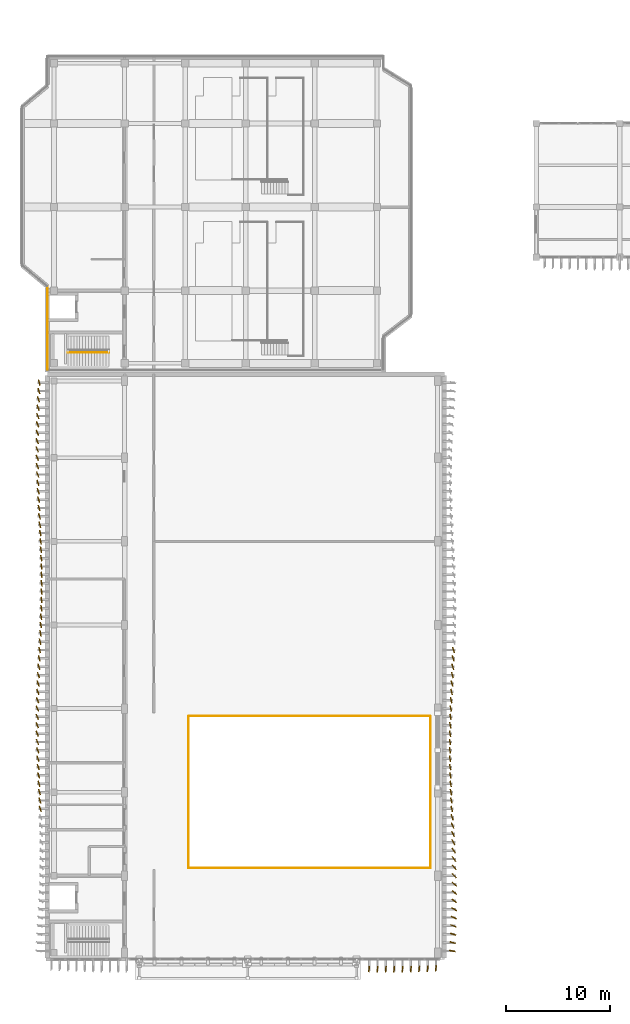
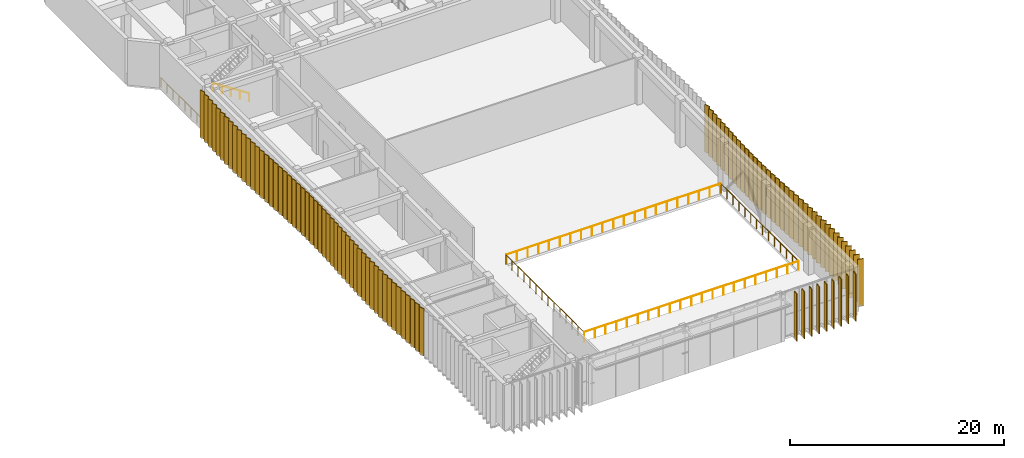
# One storey, part 53 of 64: 98 coverings, 6 railings.
"""IFC4 building model written with IfcOpenShell, lengths in metres."""

import ifcopenshell
import ifcopenshell.guid

model = None  # the IFC model being written
_history = None  # IfcOwnerHistory: only IFC2X3 demands one
_inside = {}  # id of a spatial element -> (the spatial element, [elements in it])
_under = {}  # id of a project, library or spatial element -> (it, [spatial elements below it])
_declared = {}  # id of a project -> (the project, [libraries it declares])
_typed = {}  # id of a type object -> (the type object, [elements of that type])
_made_of = {}  # id of a material, layer set ... -> (it, [elements and type objects made of it])


def new_model(schema):
    """Start an empty IFC model of exactly this schema.

    Asked for "IFC4X3", IfcOpenShell would pick the latest addendum, in which some entities
    have other attributes; the version numbers below select the first issue.
    IFC2X3 requires an IfcOwnerHistory on every rooted entity: one is made here for all.
    """
    global model, _history
    if schema == "IFC4X3":
        model = ifcopenshell.file(schema_version=(4, 3, 0, 0))
    else:
        model = ifcopenshell.file(schema=schema)
    _inside.clear()
    _under.clear()
    _declared.clear()
    _typed.clear()
    _made_of.clear()
    _history = None
    if model.schema == "IFC2X3":
        org = make("IfcOrganization", Name="unknown")
        user = make(
            "IfcPersonAndOrganization",
            ThePerson=make("IfcPerson", FamilyName="unknown"),
            TheOrganization=org,
        )
        app = make(
            "IfcApplication",
            ApplicationDeveloper=org,
            Version="unknown",
            ApplicationFullName="unknown",
            ApplicationIdentifier="unknown",
        )
        _history = make(
            "IfcOwnerHistory",
            OwningUser=user,
            OwningApplication=app,
            ChangeAction="ADDED",
            CreationDate=0,
        )
    return model


def make(cls, **values):
    """One entity of the class cls with the attributes given. An attribute that is None is left unset."""
    return model.create_entity(
        cls, **{name: value for name, value in values.items() if value is not None}
    )


def rooted(cls, **values):
    """An entity with a GlobalId (a new one), such as an element, a storey or a relation."""
    return make(cls, GlobalId=ifcopenshell.guid.new(), OwnerHistory=_history, **values)


def si_unit(unit_type, name, prefix=None):
    """IfcSIUnit, for example si_unit("LENGTHUNIT", "METRE", prefix="MILLI")."""
    return make("IfcSIUnit", UnitType=unit_type, Prefix=prefix, Name=name)


def assignment(units):
    """IfcUnitAssignment: the units of a project."""
    return None if units is None else make("IfcUnitAssignment", Units=units)


def point(xyz):
    """IfcCartesianPoint."""
    return None if xyz is None else make("IfcCartesianPoint", Coordinates=xyz)


def direction(xyz):
    """IfcDirection."""
    return None if xyz is None else make("IfcDirection", DirectionRatios=xyz)


def frame(location, z_axis=None, x_axis=None):
    """IfcAxis2Placement3D, a coordinate frame: its origin and axes. An axis left out is left unset."""
    return make(
        "IfcAxis2Placement3D",
        Location=point(location),
        Axis=direction(z_axis),
        RefDirection=direction(x_axis),
    )


def frame_2d(location, x_axis=None):
    """IfcAxis2Placement2D, a coordinate frame in the plane: its origin and x axis."""
    return make(
        "IfcAxis2Placement2D", Location=point(location), RefDirection=direction(x_axis)
    )


def origin():
    """The frame at (0, 0, 0) with its axes left unset."""
    return frame((0.0, 0.0, 0.0))


def origin_2d():
    """The frame at (0, 0) in the plane with its x axis left unset."""
    return frame_2d((0.0, 0.0))


def place(relative_to, where):
    """IfcLocalPlacement: puts the frame where relative to a parent placement (None: the world)."""
    return make(
        "IfcLocalPlacement", PlacementRelTo=relative_to, RelativePlacement=where
    )


def context(
    kind, dimensions, precision=None, world=None, true_north=None, identifier=None
):
    """IfcGeometricRepresentationContext, for example the 3D "Model" context."""
    return make(
        "IfcGeometricRepresentationContext",
        ContextIdentifier=identifier,
        ContextType=kind,
        CoordinateSpaceDimension=dimensions,
        Precision=precision,
        WorldCoordinateSystem=world,
        TrueNorth=true_north,
    )


def subcontext(parent, identifier, kind, view, scale=None):
    """IfcGeometricRepresentationSubContext, for example "Body" below "Model"."""
    return make(
        "IfcGeometricRepresentationSubContext",
        ContextIdentifier=identifier,
        ContextType=kind,
        ParentContext=parent,
        TargetScale=scale,
        TargetView=view,
    )


def project(units=None, contexts=None):
    """IfcProject with its units and contexts."""
    return rooted(
        "IfcProject",
        Name="project",
        RepresentationContexts=contexts,
        UnitsInContext=assignment(units),
    )


def spatial(cls, under=None, at=None, **own):
    """A site, building, storey or space (cls), placed at a placement, below another one or the project."""
    s = rooted(cls, ObjectPlacement=at, **own)
    if under is not None:
        _under.setdefault(under.id(), (under, []))[1].append(s)
    return s


def profile(cls, at=None, kind="AREA", **sizes):
    """A parametric profile (cls). Its sizes go by their IFC names, for example OverallWidth=200.0."""
    return make(cls, ProfileType=kind, Position=at, **sizes)


def rectangle(**sizes):
    """IfcRectangleProfileDef."""
    return profile("IfcRectangleProfileDef", **sizes)


def circle(**sizes):
    """IfcCircleProfileDef."""
    return profile("IfcCircleProfileDef", **sizes)


def extrude(swept, where, along, depth):
    """IfcExtrudedAreaSolid: the profile swept, set in the frame where, extruded along a direction by depth."""
    return make(
        "IfcExtrudedAreaSolid",
        SweptArea=swept,
        Position=where,
        ExtrudedDirection=direction(along),
        Depth=depth,
    )


def shape(context_of_items, identifier, shape_type, items):
    """IfcShapeRepresentation: the items that make up one representation, for example the "Body"."""
    return make(
        "IfcShapeRepresentation",
        ContextOfItems=context_of_items,
        RepresentationIdentifier=identifier,
        RepresentationType=shape_type,
        Items=items,
    )


def material(Name=None, Category=None):
    """IfcMaterial."""
    return make("IfcMaterial", Name=Name, Category=Category)


def layer(
    of_material, thickness, ventilated=None, Name=None, Category=None, Priority=None
):
    """IfcMaterialLayer: one layer of a wall or slab, of a material (None: an air gap)."""
    return make(
        "IfcMaterialLayer",
        Material=of_material,
        LayerThickness=thickness,
        IsVentilated=ventilated,
        Name=Name,
        Category=Category,
        Priority=Priority,
    )


def layer_set(layers, Name=None):
    """IfcMaterialLayerSet."""
    return make("IfcMaterialLayerSet", MaterialLayers=layers, LayerSetName=Name)


def made_of(thing, what):
    """Note that an element or type object is made of a material, layer set ...; save() writes the relation."""
    if what is not None:
        _made_of.setdefault(what.id(), (what, []))[1].append(thing)
    return thing


def type_object(cls, material=None, **own):
    """A type object (cls), such as IfcWallType, which elements share."""
    return made_of(rooted(cls, **own), material)


def element(
    cls,
    number,
    at=None,
    inside=None,
    cuts=None,
    type_object=None,
    material=None,
    context=None,
    identifier="Body",
    shape_type=None,
    held_by="IfcProductDefinitionShape",
    body=None,
    shapes=None,
    **own,
):
    """One element of the class cls, such as IfcWall. Its Tag is "e" and its number.

    at: its placement. inside: the storey or other place that contains it. cuts: it is an
    opening in that element (IfcRelVoidsElement). A single representation is given by context,
    identifier, shape_type and body (its items); several are given by shapes. held_by: the class
    of the entity that holds the representations. save() writes the other relations.
    """
    e = rooted(cls, Tag="e%d" % number, ObjectPlacement=at, **own)
    if body is not None:
        shapes = [shape(context, identifier, shape_type, body)]
    if shapes is not None:
        e.Representation = make(held_by, Representations=shapes)
    if inside is not None:
        _inside.setdefault(inside.id(), (inside, []))[1].append(e)
    if cuts is not None:
        rooted(
            "IfcRelVoidsElement", RelatingBuildingElement=cuts, RelatedOpeningElement=e
        )
    if type_object is not None:
        _typed.setdefault(type_object.id(), (type_object, []))[1].append(e)
    return made_of(e, material)


def aggregate(whole, parts):
    """IfcRelAggregates: a whole, such as a stair, and the parts it consists of."""
    return rooted("IfcRelAggregates", RelatingObject=whole, RelatedObjects=parts)


def save(model, path):
    """Write the relations noted so far, then the file.

    IfcRelAggregates (storeys below a building ...), IfcRelContainedInSpatialStructure (elements
    in a storey), IfcRelDefinesByType, IfcRelAssociatesMaterial and IfcRelDeclares: one each for
    every whole, place, type object, material and project.
    """
    for whole, parts in _under.values():
        aggregate(whole, parts)
    for where, things in _inside.values():
        rooted(
            "IfcRelContainedInSpatialStructure",
            RelatedElements=things,
            RelatingStructure=where,
        )
    for kind, things in _typed.values():
        rooted("IfcRelDefinesByType", RelatedObjects=things, RelatingType=kind)
    for what, things in _made_of.values():
        rooted("IfcRelAssociatesMaterial", RelatedObjects=things, RelatingMaterial=what)
    for by, libraries in _declared.values():
        rooted("IfcRelDeclares", RelatingContext=by, RelatedDefinitions=libraries)
    model.write(path)


model = new_model("IFC4")

# Units and contexts
model_context = context("Model", 3, precision=1e-05, world=origin(), true_north=direction((0.0, 1.0)))
body_context = subcontext(model_context, "Body", "Model", "MODEL_VIEW")
ifc_project = project(units=[si_unit("LENGTHUNIT", "METRE"), si_unit("AREAUNIT", "SQUARE_METRE"), si_unit("VOLUMEUNIT", "CUBIC_METRE"), si_unit("PLANEANGLEUNIT", "RADIAN"), si_unit("MASSUNIT", "GRAM", prefix="KILO")], contexts=[model_context])

# Site, building, storey
site_placement = place(None, origin())
site = spatial("IfcSite", under=ifc_project, at=site_placement, CompositionType="ELEMENT")
building_placement = place(site_placement, origin())
building = spatial("IfcBuilding", under=site, at=building_placement, Name="Cinchona Park Media Centre", CompositionType="ELEMENT")
storey_placement = place(building_placement, frame((0.0, 0.0, 10.199951171875)))
storey = spatial("IfcBuildingStorey", under=building, at=storey_placement, Name="L02", CompositionType="ELEMENT", Elevation=10.199951171875)

# Coverings
ifc_material_1 = material(Name="Anodised Storm-Resistant Aluminium Fin", Category="aluminium")
ifc_layer = layer(ifc_material_1, 0.090087890625)
ifc_layer_set = layer_set([ifc_layer], Name="Anodised Storm-Resistant Aluminium Fin")
covering_type = type_object("IfcCoveringType", Name="CLADDING-FIN01", PredefinedType="CLADDING", material=ifc_layer_set)
for number, where, z_axis, x_axis, name in (
    (1, (7.22998046875, 62.800048828125, 0.0), (0.0, 0.0, 1.0), (0.270096344686, -0.962833300518, 0.0), "Twisting Vertical Facade Fin L02"),
    (2, (7.19091796875, 62.0, 0.0), (0.0, 0.0, 1.0), (0.291870944669, -0.956457710334, 0.0), "Twisting Vertical Facade Fin L02"),
    (3, (7.154052734375, 61.199951171875, 0.0), (0.0, 0.0, 1.0), (0.312500715155, -0.949917524329, 0.0), "Twisting Vertical Facade Fin L02"),
    (4, (7.1201171875, 60.39990234375, 0.0), (0.0, 0.0, 1.0), (0.331008520407, -0.943627765286, 0.0), "Twisting Vertical Facade Fin L02"),
    (5, (7.091064453125, 59.60009765625, 0.0), (0.0, 0.0, 1.0), (0.346771953791, -0.937949472021, 0.0), "Twisting Vertical Facade Fin L02"),
    (6, (7.068115234375, 58.800048828125, 0.0), (0.0, 0.0, 1.0), (0.359345396006, -0.933204632634, 0.0), "Twisting Vertical Facade Fin L02"),
    (7, (7.052001953125, 58.0, 0.0), (0.0, 0.0, 1.0), (0.36844908347, -0.929647929536, 0.0), "Twisting Vertical Facade Fin L02"),
    (8, (7.0419921875, 57.199951171875, 0.0), (0.0, 0.0, 1.0), (0.373473545352, -0.927640830776, 0.0), "Twisting Vertical Facade Fin L02"),
    (9, (7.0400390625, 56.39990234375, 0.0), (0.0, 0.0, 1.0), (0.374444763601, -0.927249221629, 0.0), "Twisting Vertical Facade Fin L02"),
    (10, (7.0458984375, 55.60009765625, 0.0), (0.0, 0.0, 1.0), (0.37136783555, -0.928485826881, 0.0), "Twisting Vertical Facade Fin L02"),
    (11, (7.05908203125, 54.800048828125, 0.0), (0.0, 0.0, 1.0), (0.364389234658, -0.931246737264, 0.0), "Twisting Vertical Facade Fin L02"),
    (12, (7.0791015625, 54.0, 0.0), (0.0, 0.0, 1.0), (0.353474843779, -0.93544403083, 0.0), "Twisting Vertical Facade Fin L02"),
    (13, (7.10498046875, 53.199951171875, 0.0), (0.0, 0.0, 1.0), (0.339230517808, -0.940703277228, 0.0), "Twisting Vertical Facade Fin L02"),
    (14, (7.135986328125, 52.39990234375, 0.0), (0.0, 0.0, 1.0), (0.321935232675, -0.946761694389, 0.0), "Twisting Vertical Facade Fin L02"),
    (15, (7.172119140625, 51.60009765625, 0.0), (0.0, 0.0, 1.0), (0.30236989075, -0.953190667793, 0.0), "Twisting Vertical Facade Fin L02"),
    (16, (7.2099609375, 50.800048828125, 0.0), (0.0, 0.0, 1.0), (0.281001727065, -0.959707262339, 0.0), "Twisting Vertical Facade Fin L02"),
    (17, (7.25, 50.0, 0.0), (0.0, 0.0, 1.0), (0.258819045103, -0.965925826289, 0.0), "Twisting Vertical Facade Fin L02"),
    (18, (7.2900390625, 49.199951171875, 0.0), (0.0, 0.0, 1.0), (0.236498997024, -0.971631732915, 0.0), "Twisting Vertical Facade Fin L02"),
    (19, (7.327880859375, 48.39990234375, 0.0), (0.0, 0.0, 1.0), (0.214735327167, -0.976672278334, 0.0), "Twisting Vertical Facade Fin L02"),
    (20, (7.364013671875, 47.60009765625, 0.0), (0.0, 0.0, 1.0), (0.194576757325, -0.980887295008, 0.0), "Twisting Vertical Facade Fin L02"),
    (21, (7.39501953125, 46.800048828125, 0.0), (0.0, 0.0, 1.0), (0.176569392453, -0.984288194407, 0.0), "Twisting Vertical Facade Fin L02"),
    (22, (7.4208984375, 46.0, 0.0), (0.0, 0.0, 1.0), (0.161603821103, -0.986855716407, 0.0), "Twisting Vertical Facade Fin L02"),
    (23, (7.44091796875, 45.199951171875, 0.0), (0.0, 0.0, 1.0), (0.150053034553, -0.988677948991, 0.0), "Twisting Vertical Facade Fin L02"),
    (24, (7.4541015625, 44.39990234375, 0.0), (0.0, 0.0, 1.0), (0.142628933706, -0.989776230908, 0.0), "Twisting Vertical Facade Fin L02"),
    (25, (7.4599609375, 43.60009765625, 0.0), (0.0, 0.0, 1.0), (0.139345933222, -0.990243763371, 0.0), "Twisting Vertical Facade Fin L02"),
    (26, (7.4580078125, 42.800048828125, 0.0), (0.0, 0.0, 1.0), (0.140382837472, -0.990097297715, 0.0), "Twisting Vertical Facade Fin L02"),
    (27, (7.447998046875, 42.0, 0.0), (0.0, 0.0, 1.0), (0.145737698481, -0.989323265289, 0.0), "Twisting Vertical Facade Fin L02"),
    (28, (7.431884765625, 41.199951171875, 0.0), (0.0, 0.0, 1.0), (0.155400074643, -0.987851616793, 0.0), "Twisting Vertical Facade Fin L02"),
    (29, (7.408935546875, 40.39990234375, 0.0), (0.0, 0.0, 1.0), (0.168661414708, -0.985674047132, 0.0), "Twisting Vertical Facade Fin L02"),
    (30, (7.3798828125, 39.60009765625, 0.0), (0.0, 0.0, 1.0), (0.185152095101, -0.982709876657, 0.0), "Twisting Vertical Facade Fin L02"),
    (31, (7.345947265625, 38.800048828125, 0.0), (0.0, 0.0, 1.0), (0.204325204139, -0.978903065147, 0.0), "Twisting Vertical Facade Fin L02"),
    (32, (7.30908203125, 38.0, 0.0), (0.0, 0.0, 1.0), (0.225461202458, -0.974252147129, 0.0), "Twisting Vertical Facade Fin L02"),
    (33, (7.27001953125, 37.199951171875, 0.0), (0.0, 0.0, 1.0), (0.247506354292, -0.968886270202, 0.0), "Twisting Vertical Facade Fin L02"),
    (34, (7.22998046875, 36.39990234375, 0.0), (0.0, 0.0, 1.0), (0.270096344686, -0.962833300518, 0.0), "Twisting Vertical Facade Fin L02"),
    (35, (7.19091796875, 35.60009765625, 0.0), (0.0, 0.0, 1.0), (0.291870944669, -0.956457710334, 0.0), "Twisting Vertical Facade Fin L02"),
    (36, (7.154052734375, 34.800048828125, 0.0), (0.0, 0.0, 1.0), (0.312500715155, -0.949917524329, 0.0), "Twisting Vertical Facade Fin L02"),
    (37, (7.1201171875, 34.0, 0.0), (0.0, 0.0, 1.0), (0.331008520407, -0.943627765286, 0.0), "Twisting Vertical Facade Fin L02"),
    (38, (7.091064453125, 33.199951171875, 0.0), (0.0, 0.0, 1.0), (0.346771953791, -0.937949472021, 0.0), "Twisting Vertical Facade Fin L02"),
    (39, (7.068115234375, 32.39990234375, 0.0), (0.0, 0.0, 1.0), (0.359345396006, -0.933204632634, 0.0), "Twisting Vertical Facade Fin L02"),
    (40, (7.052001953125, 31.60009765625, 0.0), (0.0, 0.0, 1.0), (0.36844908347, -0.929647929536, 0.0), "Twisting Vertical Facade Fin L02"),
    (41, (7.0419921875, 30.800048828125, 0.0), (0.0, 0.0, 1.0), (0.373473545352, -0.927640830776, 0.0), "Twisting Vertical Facade Fin L02"),
    (42, (7.0400390625, 30.0, 0.0), (0.0, 0.0, 1.0), (0.374444763601, -0.927249221629, 0.0), "Twisting Vertical Facade Fin L02"),
    (43, (7.0458984375, 29.199951171875, 0.0), (0.0, 0.0, 1.0), (0.37136783555, -0.928485826881, 0.0), "Twisting Vertical Facade Fin L02"),
    (44, (7.05908203125, 28.39990234375, 0.0), (0.0, 0.0, 1.0), (0.364389234658, -0.931246737264, 0.0), "Twisting Vertical Facade Fin L02"),
    (45, (7.0791015625, 27.60009765625, 0.0), (0.0, 0.0, 1.0), (0.353474843779, -0.93544403083, 0.0), "Twisting Vertical Facade Fin L02"),
    (46, (7.10498046875, 26.800048828125, 0.0), (0.0, 0.0, 1.0), (0.339230517808, -0.940703277228, 0.0), "Twisting Vertical Facade Fin L02"),
    (47, (7.135986328125, 26.0, 0.0), (0.0, 0.0, 1.0), (0.321935232675, -0.946761694389, 0.0), "Twisting Vertical Facade Fin L02"),
    (48, (7.172119140625, 25.199951171875, 0.0), (0.0, 0.0, 1.0), (0.30236989075, -0.953190667793, 0.0), "Twisting Vertical Facade Fin L02"),
    (49, (7.2099609375, 24.39990234375, 0.0), (0.0, 0.0, 1.0), (0.281001727065, -0.959707262339, 0.0), "Twisting Vertical Facade Fin L02"),
    (50, (7.25, 23.60009765625, 0.0), (0.0, 0.0, 1.0), (0.258819045103, -0.965925826289, 0.0), "Twisting Vertical Facade Fin L02"),
    (51, (7.2900390625, 22.800048828125, 0.0), (0.0, 0.0, 1.0), (0.277985336053, -0.960585317887, 0.0), "Twisting Vertical Facade Fin L02"),
    (52, (7.327880859375, 22.0, 0.0), (0.0, 0.0, 1.0), (0.306692204733, -0.951808747363, 0.0), "Twisting Vertical Facade Fin L02"),
    (53, (38.800048828125, 6.66796875, 0.0), (0.0, 0.0, 1.0), (0.116150698194, 0.993231602049, 0.0), "Twisting Vertical Facade Fin L02"),
    (54, (39.60009765625, 6.652099609375, 0.0), (0.0, 0.0, 1.0), (0.109213859333, 0.994018275953, 0.0), "Twisting Vertical Facade Fin L02"),
    (55, (40.39990234375, 6.64208984375, 0.0), (0.0, 0.0, 1.0), (0.105396307434, 0.994430298402, 0.0), "Twisting Vertical Facade Fin L02"),
    (56, (41.199951171875, 6.639892578125, 0.0), (0.0, 0.0, 1.0), (0.10470203849, 0.994503636562, 0.0), "Twisting Vertical Facade Fin L02"),
    (57, (42.0, 6.64599609375, 0.0), (0.0, 0.0, 1.0), (0.106958224224, 0.994263515508, 0.0), "Twisting Vertical Facade Fin L02"),
    (58, (42.800048828125, 6.658935546875, 0.0), (0.0, 0.0, 1.0), (0.112336115762, 0.99367026578, 0.0), "Twisting Vertical Facade Fin L02"),
    (59, (43.60009765625, 6.678955078125, 0.0), (0.0, 0.0, 1.0), (0.120656628871, 0.992694302346, 0.0), "Twisting Vertical Facade Fin L02"),
    (60, (44.39990234375, 6.705078125, 0.0), (0.0, 0.0, 1.0), (0.131391341269, 0.991330578283, 0.0), "Twisting Vertical Facade Fin L02"),
    (61, (45.199951171875, 6.736083984375, 0.0), (0.0, 0.0, 1.0), (0.144356201001, 0.989525789069, 0.0), "Twisting Vertical Facade Fin L02"),
    (62, (46.77001953125, 8.39990234375, 0.0), (0.0, 0.0, 1.0), (-0.978616819224, 0.205691811048, 0.0), "Twisting Vertical Facade Fin L02"),
    (63, (46.80908203125, 9.199951171875, 0.0), (0.0, 0.0, 1.0), (-0.963068637394, 0.269256011385, 0.0), "Twisting Vertical Facade Fin L02"),
    (64, (46.845947265625, 10.0, 0.0), (0.0, 0.0, 1.0), (-0.943454320287, 0.331502557353, 0.0), "Twisting Vertical Facade Fin L02"),
    (65, (46.8798828125, 10.800048828125, 0.0), (0.0, 0.0, 1.0), (-0.919821497322, 0.392337116604, 0.0), "Twisting Vertical Facade Fin L02"),
    (66, (46.908935546875, 11.60009765625, 0.0), (0.0, 0.0, 1.0), (-0.89219201375, 0.451656296979, 0.0), "Twisting Vertical Facade Fin L02"),
    (67, (46.931884765625, 12.39990234375, 0.0), (0.0, 0.0, 1.0), (-0.860830858381, 0.508891180174, 0.0), "Twisting Vertical Facade Fin L02"),
    (68, (46.947998046875, 13.199951171875, 0.0), (0.0, 0.0, 1.0), (-0.825704677814, 0.56410263697, 0.0), "Twisting Vertical Facade Fin L02"),
    (69, (46.9580078125, 14.0, 0.0), (0.0, 0.0, 1.0), (-0.787150360167, 0.616761145412, 0.0), "Twisting Vertical Facade Fin L02"),
    (70, (46.9599609375, 14.800048828125, 0.0), (0.0, 0.0, 1.0), (-0.745243290547, 0.66679264985, 0.0), "Twisting Vertical Facade Fin L02"),
    (71, (46.9541015625, 15.60009765625, 0.0), (0.0, 0.0, 1.0), (-0.700037341608, 0.714106238843, 0.0), "Twisting Vertical Facade Fin L02"),
    (72, (46.94091796875, 16.39990234375, 0.0), (0.0, 0.0, 1.0), (-0.651966074496, 0.758248137292, 0.0), "Twisting Vertical Facade Fin L02"),
    (73, (46.9208984375, 17.199951171875, 0.0), (0.0, 0.0, 1.0), (-0.600978364173, 0.79926529125, 0.0), "Twisting Vertical Facade Fin L02"),
    (74, (46.89501953125, 18.0, 0.0), (0.0, 0.0, 1.0), (-0.547563223493, 0.836764313459, 0.0), "Twisting Vertical Facade Fin L02"),
    (75, (46.864013671875, 18.800048828125, 0.0), (0.0, 0.0, 1.0), (-0.49181581725, 0.870699260309, 0.0), "Twisting Vertical Facade Fin L02"),
    (76, (46.827880859375, 19.60009765625, 0.0), (0.0, 0.0, 1.0), (-0.43381634559, 0.90100131981, 0.0), "Twisting Vertical Facade Fin L02"),
    (77, (46.7900390625, 20.39990234375, 0.0), (0.0, 0.0, 1.0), (-0.374121069757, 0.927379871015, 0.0), "Twisting Vertical Facade Fin L02"),
    (78, (46.75, 21.199951171875, 0.0), (0.0, 0.0, 1.0), (-0.312666502279, 0.949862968197, 0.0), "Twisting Vertical Facade Fin L02"),
    (79, (46.7099609375, 22.0, 0.0), (0.0, 0.0, 1.0), (-0.239550296042, 0.970883955819, 0.0), "Twisting Vertical Facade Fin L02"),
    (80, (46.672119140625, 22.800048828125, 0.0), (0.0, 0.0, 1.0), (-0.221037880265, 0.975265223151, 0.0), "Twisting Vertical Facade Fin L02"),
    (81, (46.635986328125, 23.60009765625, 0.0), (0.0, 0.0, 1.0), (-0.203812623708, 0.979009915383, 0.0), "Twisting Vertical Facade Fin L02"),
    (82, (46.60498046875, 24.39990234375, 0.0), (0.0, 0.0, 1.0), (-0.188409860458, 0.982090486912, 0.0), "Twisting Vertical Facade Fin L02"),
    (83, (46.5791015625, 25.199951171875, 0.0), (0.0, 0.0, 1.0), (-0.17553855164, 0.984472557712, 0.0), "Twisting Vertical Facade Fin L02"),
    (84, (46.55908203125, 26.0, 0.0), (0.0, 0.0, 1.0), (-0.165736122828, 0.986170136229, 0.0), "Twisting Vertical Facade Fin L02"),
    (85, (46.5458984375, 26.800048828125, 0.0), (0.0, 0.0, 1.0), (-0.15936430246, 0.987219843349, 0.0), "Twisting Vertical Facade Fin L02"),
    (86, (46.5400390625, 27.60009765625, 0.0), (0.0, 0.0, 1.0), (-0.156606846792, 0.987661022587, 0.0), "Twisting Vertical Facade Fin L02"),
    (87, (46.5419921875, 28.39990234375, 0.0), (0.0, 0.0, 1.0), (-0.157468683888, 0.987523981276, 0.0), "Twisting Vertical Facade Fin L02"),
    (88, (46.552001953125, 29.199951171875, 0.0), (0.0, 0.0, 1.0), (-0.162120515372, 0.986770965572, 0.0), "Twisting Vertical Facade Fin L02"),
    (89, (46.568115234375, 30.0, 0.0), (0.0, 0.0, 1.0), (-0.170209499166, 0.985407898483, 0.0), "Twisting Vertical Facade Fin L02"),
    (90, (46.591064453125, 30.800048828125, 0.0), (0.0, 0.0, 1.0), (-0.18172066947, 0.983350191075, 0.0), "Twisting Vertical Facade Fin L02"),
    (91, (46.6201171875, 31.60009765625, 0.0), (0.0, 0.0, 1.0), (-0.195774991714, 0.980648842665, 0.0), "Twisting Vertical Facade Fin L02"),
    (92, (46.654052734375, 32.39990234375, 0.0), (0.0, 0.0, 1.0), (-0.212177672156, 0.977231106463, 0.0), "Twisting Vertical Facade Fin L02"),
    (93, (46.69091796875, 33.199951171875, 0.0), (0.0, 0.0, 1.0), (-0.230219585439, 0.973138706701, 0.0), "Twisting Vertical Facade Fin L02"),
    (94, (46.72998046875, 34.0, 0.0), (0.0, 0.0, 1.0), (-0.249197002009, 0.968452814643, 0.0), "Twisting Vertical Facade Fin L02"),
    (95, (46.77001953125, 34.800048828125, 0.0), (0.0, 0.0, 1.0), (-0.268415473035, 0.963303240852, 0.0), "Twisting Vertical Facade Fin L02"),
    (96, (46.80908203125, 35.60009765625, 0.0), (0.0, 0.0, 1.0), (-0.287193343912, 0.957872634129, 0.0), "Twisting Vertical Facade Fin L02"),
    (97, (46.845947265625, 36.39990234375, 0.0), (0.0, 0.0, 1.0), (-0.304864299028, 0.952395799643, 0.0), "Twisting Vertical Facade Fin L02"),
    (98, (46.8798828125, 37.199951171875, 0.0), (0.0, 0.0, 1.0), (-0.320778305082, 0.947154305796, 0.0), "Twisting Vertical Facade Fin L02"),
):
    element("IfcCovering", number, at=place(storey_placement, frame(where, z_axis=z_axis, x_axis=x_axis)), inside=storey, type_object=covering_type, Name=name, PredefinedType="CLADDING", context=body_context, shape_type="SweptSolid", body=[
        extrude(rectangle(XDim=0.56005859375, YDim=0.090087890625, at=origin_2d()), origin(), (0.0, 0.0, 1.0), 5.39990234375),
    ])

# Railings
ifc_material_2 = material(Name="Galvanised Painted Steel Balustrade", Category="steel")
railing_type_1 = type_object("IfcRailingType", Name="RAILING-GR01", PredefinedType="BALUSTRADE", material=ifc_material_2)
railing_1_placement = place(storey_placement, frame((21.552001953125, 16.320068359375, 0.0)))
element("IfcRailing", 99, at=railing_1_placement, inside=storey, type_object=railing_type_1, Name="Atrium Balustrade GR01 VOID-L02-CIN1 S1", PredefinedType="BALUSTRADE", context=body_context, shape_type="SweptSolid", body=[
    extrude(circle(Radius=0.02392578125, at=origin_2d()), frame((0.0, 0.0, 1.076171875), z_axis=(1.0, 0.0, 0.0), x_axis=(0.0, 1.0, 0.0)), (0.0, 0.0, 1.0), 23.095947265625),
    extrude(circle(Radius=0.02099609375, at=origin_2d()), origin(), (0.0, 0.0, 1.0), 1.052001953125),
    extrude(circle(Radius=0.02099609375, at=origin_2d()), frame((1.15478515625, 0.0, 0.0)), (0.0, 0.0, 1.0), 1.052001953125),
    extrude(circle(Radius=0.02099609375, at=origin_2d()), frame((2.3095703125, 0.0, 0.0)), (0.0, 0.0, 1.0), 1.052001953125),
    extrude(circle(Radius=0.02099609375, at=origin_2d()), frame((3.46435546875, 0.0, 0.0)), (0.0, 0.0, 1.0), 1.052001953125),
    extrude(circle(Radius=0.02099609375, at=origin_2d()), frame((4.619140625, 0.0, 0.0)), (0.0, 0.0, 1.0), 1.052001953125),
    extrude(circle(Radius=0.02099609375, at=origin_2d()), frame((5.77392578125, 0.0, 0.0)), (0.0, 0.0, 1.0), 1.052001953125),
    extrude(circle(Radius=0.02099609375, at=origin_2d()), frame((6.9287109375, 0.0, 0.0)), (0.0, 0.0, 1.0), 1.052001953125),
    extrude(circle(Radius=0.02099609375, at=origin_2d()), frame((8.08349609375, 0.0, 0.0)), (0.0, 0.0, 1.0), 1.052001953125),
    extrude(circle(Radius=0.02099609375, at=origin_2d()), frame((9.23828125, 0.0, 0.0)), (0.0, 0.0, 1.0), 1.052001953125),
    extrude(circle(Radius=0.02099609375, at=origin_2d()), frame((10.39306640625, 0.0, 0.0)), (0.0, 0.0, 1.0), 1.052001953125),
    extrude(circle(Radius=0.02099609375, at=origin_2d()), frame((11.5478515625, 0.0, 0.0)), (0.0, 0.0, 1.0), 1.052001953125),
    extrude(circle(Radius=0.02099609375, at=origin_2d()), frame((12.702880859375, 0.0, 0.0)), (0.0, 0.0, 1.0), 1.052001953125),
    extrude(circle(Radius=0.02099609375, at=origin_2d()), frame((13.857666015625, 0.0, 0.0)), (0.0, 0.0, 1.0), 1.052001953125),
    extrude(circle(Radius=0.02099609375, at=origin_2d()), frame((15.012451171875, 0.0, 0.0)), (0.0, 0.0, 1.0), 1.052001953125),
    extrude(circle(Radius=0.02099609375, at=origin_2d()), frame((16.167236328125, 0.0, 0.0)), (0.0, 0.0, 1.0), 1.052001953125),
    extrude(circle(Radius=0.02099609375, at=origin_2d()), frame((17.322021484375, 0.0, 0.0)), (0.0, 0.0, 1.0), 1.052001953125),
    extrude(circle(Radius=0.02099609375, at=origin_2d()), frame((18.476806640625, 0.0, 0.0)), (0.0, 0.0, 1.0), 1.052001953125),
    extrude(circle(Radius=0.02099609375, at=origin_2d()), frame((19.631591796875, 0.0, 0.0)), (0.0, 0.0, 1.0), 1.052001953125),
    extrude(circle(Radius=0.02099609375, at=origin_2d()), frame((20.786376953125, 0.0, 0.0)), (0.0, 0.0, 1.0), 1.052001953125),
    extrude(circle(Radius=0.02099609375, at=origin_2d()), frame((21.941162109375, 0.0, 0.0)), (0.0, 0.0, 1.0), 1.052001953125),
    extrude(circle(Radius=0.02099609375, at=origin_2d()), frame((23.095947265625, 0.0, 0.0)), (0.0, 0.0, 1.0), 1.052001953125),
])
railing_2_placement = place(storey_placement, frame((44.679931640625, 16.35205078125, 0.0)))
element("IfcRailing", 100, at=railing_2_placement, inside=storey, type_object=railing_type_1, Name="Atrium Balustrade GR01 VOID-L02-CIN1 S2", PredefinedType="BALUSTRADE", context=body_context, shape_type="SweptSolid", body=[
    extrude(circle(Radius=0.02392578125, at=origin_2d()), frame((0.0, 0.0, 1.076171875), z_axis=(0.0, 1.0, 0.0), x_axis=(-1.0, 0.0, 0.0)), (0.0, 0.0, 1.0), 14.495849609375),
    extrude(circle(Radius=0.02099609375, at=origin_2d()), origin(), (0.0, 0.0, 1.0), 1.052001953125),
    extrude(circle(Radius=0.02099609375, at=origin_2d()), frame((0.0, 1.114990234375, 0.0)), (0.0, 0.0, 1.0), 1.052001953125),
    extrude(circle(Radius=0.02099609375, at=origin_2d()), frame((0.0, 2.230224609375, 0.0)), (0.0, 0.0, 1.0), 1.052001953125),
    extrude(circle(Radius=0.02099609375, at=origin_2d()), frame((0.0, 3.34521484375, 0.0)), (0.0, 0.0, 1.0), 1.052001953125),
    extrude(circle(Radius=0.02099609375, at=origin_2d()), frame((0.0, 4.460205078125, 0.0)), (0.0, 0.0, 1.0), 1.052001953125),
    extrude(circle(Radius=0.02099609375, at=origin_2d()), frame((0.0, 5.575439453125, 0.0)), (0.0, 0.0, 1.0), 1.052001953125),
    extrude(circle(Radius=0.02099609375, at=origin_2d()), frame((0.0, 6.6904296875, 0.0)), (0.0, 0.0, 1.0), 1.052001953125),
    extrude(circle(Radius=0.02099609375, at=origin_2d()), frame((0.0, 7.805419921875, 0.0)), (0.0, 0.0, 1.0), 1.052001953125),
    extrude(circle(Radius=0.02099609375, at=origin_2d()), frame((0.0, 8.92041015625, 0.0)), (0.0, 0.0, 1.0), 1.052001953125),
    extrude(circle(Radius=0.02099609375, at=origin_2d()), frame((0.0, 10.03564453125, 0.0)), (0.0, 0.0, 1.0), 1.052001953125),
    extrude(circle(Radius=0.02099609375, at=origin_2d()), frame((0.0, 11.150634765625, 0.0)), (0.0, 0.0, 1.0), 1.052001953125),
    extrude(circle(Radius=0.02099609375, at=origin_2d()), frame((0.0, 12.265625, 0.0)), (0.0, 0.0, 1.0), 1.052001953125),
    extrude(circle(Radius=0.02099609375, at=origin_2d()), frame((0.0, 13.380859375, 0.0)), (0.0, 0.0, 1.0), 1.052001953125),
    extrude(circle(Radius=0.02099609375, at=origin_2d()), frame((0.0, 14.495849609375, 0.0)), (0.0, 0.0, 1.0), 1.052001953125),
])
railing_3_placement = place(storey_placement, frame((44.64794921875, 30.8798828125, 0.0)))
element("IfcRailing", 101, at=railing_3_placement, inside=storey, type_object=railing_type_1, Name="Atrium Balustrade GR01 VOID-L02-CIN1 S3", PredefinedType="BALUSTRADE", context=body_context, shape_type="SweptSolid", body=[
    extrude(circle(Radius=0.02392578125, at=origin_2d()), frame((0.0, 0.0, 1.076171875), z_axis=(-1.0, 0.0, 0.0), x_axis=(0.0, -1.0, 0.0)), (0.0, 0.0, 1.0), 23.095947265625),
    extrude(circle(Radius=0.02099609375, at=origin_2d()), origin(), (0.0, 0.0, 1.0), 1.052001953125),
    extrude(circle(Radius=0.02099609375, at=origin_2d()), frame((-1.15478515625, 0.0, 0.0)), (0.0, 0.0, 1.0), 1.052001953125),
    extrude(circle(Radius=0.02099609375, at=origin_2d()), frame((-2.3095703125, 0.0, 0.0)), (0.0, 0.0, 1.0), 1.052001953125),
    extrude(circle(Radius=0.02099609375, at=origin_2d()), frame((-3.46435546875, 0.0, 0.0)), (0.0, 0.0, 1.0), 1.052001953125),
    extrude(circle(Radius=0.02099609375, at=origin_2d()), frame((-4.619140625, 0.0, 0.0)), (0.0, 0.0, 1.0), 1.052001953125),
    extrude(circle(Radius=0.02099609375, at=origin_2d()), frame((-5.77392578125, 0.0, 0.0)), (0.0, 0.0, 1.0), 1.052001953125),
    extrude(circle(Radius=0.02099609375, at=origin_2d()), frame((-6.9287109375, 0.0, 0.0)), (0.0, 0.0, 1.0), 1.052001953125),
    extrude(circle(Radius=0.02099609375, at=origin_2d()), frame((-8.08349609375, 0.0, 0.0)), (0.0, 0.0, 1.0), 1.052001953125),
    extrude(circle(Radius=0.02099609375, at=origin_2d()), frame((-9.23828125, 0.0, 0.0)), (0.0, 0.0, 1.0), 1.052001953125),
    extrude(circle(Radius=0.02099609375, at=origin_2d()), frame((-10.39306640625, 0.0, 0.0)), (0.0, 0.0, 1.0), 1.052001953125),
    extrude(circle(Radius=0.02099609375, at=origin_2d()), frame((-11.5478515625, 0.0, 0.0)), (0.0, 0.0, 1.0), 1.052001953125),
    extrude(circle(Radius=0.02099609375, at=origin_2d()), frame((-12.702880859375, 0.0, 0.0)), (0.0, 0.0, 1.0), 1.052001953125),
    extrude(circle(Radius=0.02099609375, at=origin_2d()), frame((-13.857666015625, 0.0, 0.0)), (0.0, 0.0, 1.0), 1.052001953125),
    extrude(circle(Radius=0.02099609375, at=origin_2d()), frame((-15.012451171875, 0.0, 0.0)), (0.0, 0.0, 1.0), 1.052001953125),
    extrude(circle(Radius=0.02099609375, at=origin_2d()), frame((-16.167236328125, 0.0, 0.0)), (0.0, 0.0, 1.0), 1.052001953125),
    extrude(circle(Radius=0.02099609375, at=origin_2d()), frame((-17.322021484375, 0.0, 0.0)), (0.0, 0.0, 1.0), 1.052001953125),
    extrude(circle(Radius=0.02099609375, at=origin_2d()), frame((-18.476806640625, 0.0, 0.0)), (0.0, 0.0, 1.0), 1.052001953125),
    extrude(circle(Radius=0.02099609375, at=origin_2d()), frame((-19.631591796875, 0.0, 0.0)), (0.0, 0.0, 1.0), 1.052001953125),
    extrude(circle(Radius=0.02099609375, at=origin_2d()), frame((-20.786376953125, 0.0, 0.0)), (0.0, 0.0, 1.0), 1.052001953125),
    extrude(circle(Radius=0.02099609375, at=origin_2d()), frame((-21.941162109375, 0.0, 0.0)), (0.0, 0.0, 1.0), 1.052001953125),
    extrude(circle(Radius=0.02099609375, at=origin_2d()), frame((-23.095947265625, 0.0, 0.0)), (0.0, 0.0, 1.0), 1.052001953125),
])
railing_4_placement = place(storey_placement, frame((21.52001953125, 30.847900390625, 0.0)))
element("IfcRailing", 102, at=railing_4_placement, inside=storey, type_object=railing_type_1, Name="Atrium Balustrade GR01 VOID-L02-CIN1 S4", PredefinedType="BALUSTRADE", context=body_context, shape_type="SweptSolid", body=[
    extrude(circle(Radius=0.02392578125, at=origin_2d()), frame((0.0, 0.0, 1.076171875), z_axis=(0.0, -1.0, 0.0), x_axis=(1.0, 0.0, 0.0)), (0.0, 0.0, 1.0), 14.495849609375),
    extrude(circle(Radius=0.02099609375, at=origin_2d()), origin(), (0.0, 0.0, 1.0), 1.052001953125),
    extrude(circle(Radius=0.02099609375, at=origin_2d()), frame((0.0, -1.114990234375, 0.0)), (0.0, 0.0, 1.0), 1.052001953125),
    extrude(circle(Radius=0.02099609375, at=origin_2d()), frame((0.0, -2.230224609375, 0.0)), (0.0, 0.0, 1.0), 1.052001953125),
    extrude(circle(Radius=0.02099609375, at=origin_2d()), frame((0.0, -3.34521484375, 0.0)), (0.0, 0.0, 1.0), 1.052001953125),
    extrude(circle(Radius=0.02099609375, at=origin_2d()), frame((0.0, -4.460205078125, 0.0)), (0.0, 0.0, 1.0), 1.052001953125),
    extrude(circle(Radius=0.02099609375, at=origin_2d()), frame((0.0, -5.575439453125, 0.0)), (0.0, 0.0, 1.0), 1.052001953125),
    extrude(circle(Radius=0.02099609375, at=origin_2d()), frame((0.0, -6.6904296875, 0.0)), (0.0, 0.0, 1.0), 1.052001953125),
    extrude(circle(Radius=0.02099609375, at=origin_2d()), frame((0.0, -7.805419921875, 0.0)), (0.0, 0.0, 1.0), 1.052001953125),
    extrude(circle(Radius=0.02099609375, at=origin_2d()), frame((0.0, -8.92041015625, 0.0)), (0.0, 0.0, 1.0), 1.052001953125),
    extrude(circle(Radius=0.02099609375, at=origin_2d()), frame((0.0, -10.03564453125, 0.0)), (0.0, 0.0, 1.0), 1.052001953125),
    extrude(circle(Radius=0.02099609375, at=origin_2d()), frame((0.0, -11.150634765625, 0.0)), (0.0, 0.0, 1.0), 1.052001953125),
    extrude(circle(Radius=0.02099609375, at=origin_2d()), frame((0.0, -12.265625, 0.0)), (0.0, 0.0, 1.0), 1.052001953125),
    extrude(circle(Radius=0.02099609375, at=origin_2d()), frame((0.0, -13.380859375, 0.0)), (0.0, 0.0, 1.0), 1.052001953125),
    extrude(circle(Radius=0.02099609375, at=origin_2d()), frame((0.0, -14.495849609375, 0.0)), (0.0, 0.0, 1.0), 1.052001953125),
])
ifc_material_3 = material(Name="Painted Steel Stairwell Guardrail", Category="steel")
railing_type_2 = type_object("IfcRailingType", Name="RAILING-GR02", PredefinedType="GUARDRAIL", material=ifc_material_3)
railing_5_placement = place(storey_placement, frame((8.0, 71.968017578125, 0.0)))
element("IfcRailing", 103, at=railing_5_placement, inside=storey, type_object=railing_type_2, Name="Auditorium Wedge Perimeter Guardrail GR02 L02 S12", PredefinedType="GUARDRAIL", context=body_context, shape_type="SweptSolid", body=[
    extrude(circle(Radius=0.02392578125, at=origin_2d()), frame((0.0, 0.0, 1.09619140625), z_axis=(0.0, -1.0, 0.0), x_axis=(1.0, 0.0, 0.0)), (0.0, 0.0, 1.0), 7.93603515625),
    extrude(circle(Radius=0.02099609375, at=origin_2d()), origin(), (0.0, 0.0, 1.0), 1.072021484375),
    extrude(circle(Radius=0.02099609375, at=origin_2d()), frame((0.0, -1.1337890625, 0.0)), (0.0, 0.0, 1.0), 1.072021484375),
    extrude(circle(Radius=0.02099609375, at=origin_2d()), frame((0.0, -2.267333984375, 0.0)), (0.0, 0.0, 1.0), 1.072021484375),
    extrude(circle(Radius=0.02099609375, at=origin_2d()), frame((0.0, -3.401123046875, 0.0)), (0.0, 0.0, 1.0), 1.072021484375),
    extrude(circle(Radius=0.02099609375, at=origin_2d()), frame((0.0, -4.534912109375, 0.0)), (0.0, 0.0, 1.0), 1.072021484375),
    extrude(circle(Radius=0.02099609375, at=origin_2d()), frame((0.0, -5.668701171875, 0.0)), (0.0, 0.0, 1.0), 1.072021484375),
    extrude(circle(Radius=0.02099609375, at=origin_2d()), frame((0.0, -6.80224609375, 0.0)), (0.0, 0.0, 1.0), 1.072021484375),
    extrude(circle(Radius=0.02099609375, at=origin_2d()), frame((0.0, -7.93603515625, 0.0)), (0.0, 0.0, 1.0), 1.072021484375),
])
ifc_material_4 = material(Name="Brushed Stainless Steel Handrail", Category="steel")
railing_type_3 = type_object("IfcRailingType", Name="RAILING-HR01", PredefinedType="HANDRAIL", material=ifc_material_4)
railing_6_placement = place(storey_placement, frame((13.89990234375, 65.659912109375, 0.179931640625)))
element("IfcRailing", 104, at=railing_6_placement, inside=storey, type_object=railing_type_3, Name="Stair Handrail HR01 ST3 L02 F1", PredefinedType="HANDRAIL", context=body_context, shape_type="SweptSolid", body=[
    extrude(circle(Radius=0.02392578125, at=origin_2d()), frame((0.0, 0.0, 0.8759765625), z_axis=(-0.841171666519, 0.0, 0.540768182723), x_axis=(0.0, -1.0, 0.0)), (0.0, 0.0, 1.0), 4.66015625),
    extrude(circle(Radius=0.02099609375, at=origin_2d()), origin(), (0.0, 0.0, 1.0), 0.851806640625),
    extrude(circle(Radius=0.02099609375, at=origin_2d()), frame((-0.97998046875, 0.0, 0.6298828125)), (0.0, 0.0, 1.0), 0.851806640625),
    extrude(circle(Radius=0.02099609375, at=origin_2d()), frame((-1.9599609375, 0.0, 1.260009765625)), (0.0, 0.0, 1.0), 0.851806640625),
    extrude(circle(Radius=0.02099609375, at=origin_2d()), frame((-2.93994140625, 0.0, 1.89013671875)), (0.0, 0.0, 1.0), 0.851806640625),
    extrude(circle(Radius=0.02099609375, at=origin_2d()), frame((-3.919921875, 0.0, 2.52001953125)), (0.0, 0.0, 1.0), 0.851806640625),
])

save(model, "model.ifc")
